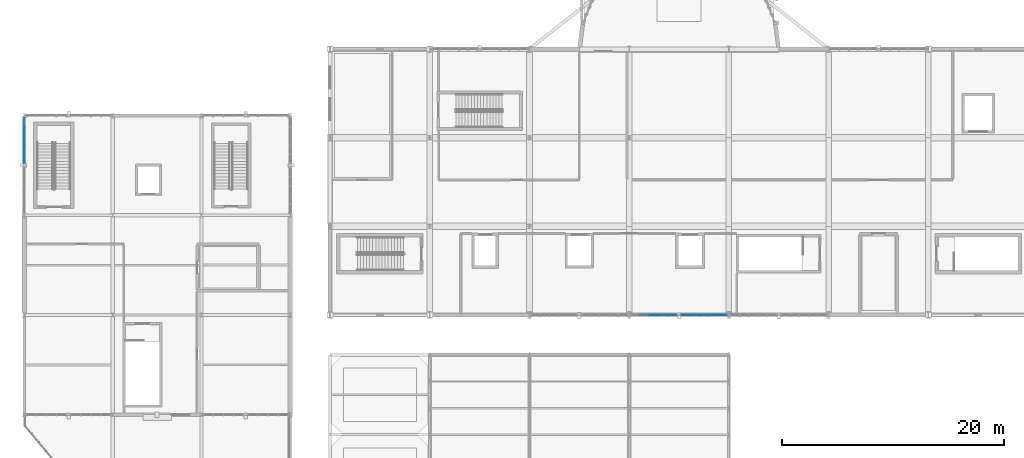
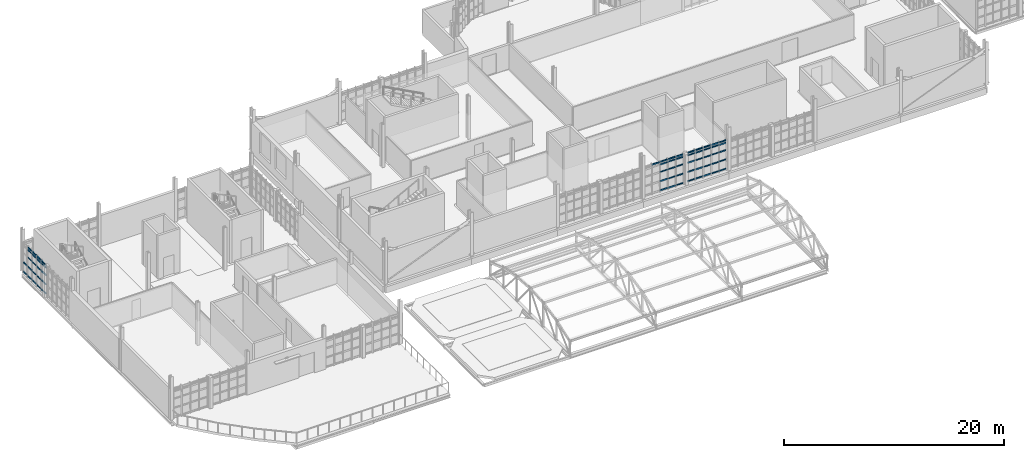
# One storey, part 62 of 128: 63 members, 3 elements without a shape of their own.
"""IFC4 building model written with IfcOpenShell, lengths in metres."""

from ifc_helpers import new_model, si_unit, direction, frame, origin, origin_2d, place, context, subcontext, project, spatial, rectangle, extrude, material, material_profile, profile_set, type_object, element, aggregate, save


model = new_model("IFC4")

# Units and contexts
model_context = context("Model", 3, precision=1e-05, world=origin(), true_north=direction((0.0, 1.0)))
body_context = subcontext(model_context, "Body", "Model", "MODEL_VIEW")
ifc_project = project(units=[si_unit("LENGTHUNIT", "METRE"), si_unit("AREAUNIT", "SQUARE_METRE"), si_unit("VOLUMEUNIT", "CUBIC_METRE"), si_unit("PLANEANGLEUNIT", "RADIAN"), si_unit("MASSUNIT", "GRAM", prefix="KILO")], contexts=[model_context])

# Site, building, storey
site_placement = place(None, origin())
site = spatial("IfcSite", under=ifc_project, at=site_placement, CompositionType="ELEMENT")
building_placement = place(site_placement, origin())
building = spatial("IfcBuilding", under=site, at=building_placement, Name="Serraforn Aerial Cableway Station", CompositionType="ELEMENT")
storey_placement = place(building_placement, frame((0.0, 0.0, 9.0)))
storey = spatial("IfcBuildingStorey", under=building, at=storey_placement, Name="L02", CompositionType="ELEMENT", Elevation=9.0)

# Curtain wall, members
ifc_material_1 = material(Name="Anodised bronze unitised curtain wall")
curtain_wall_type_1 = type_object("IfcCurtainWallType", Name="CW-SYS-3", PredefinedType="USERDEFINED", material=ifc_material_1)
curtain_wall_1_placement = place(storey_placement, origin())
curtain_wall_1 = element("IfcCurtainWall", 1, at=curtain_wall_1_placement, inside=storey, type_object=curtain_wall_type_1, Name="Unitised Curtain Wall CW-W-L02-W3A", ObjectType="UNITISED CURTAIN WALL", PredefinedType="USERDEFINED")
ifc_material_2 = material(Name="Anodised bronze extruded aluminium", Category="aluminium")
ifc_material_profile_1 = material_profile(ifc_material_2, rectangle(XDim=0.054931640625, YDim=0.110107421875, at=origin_2d()), Name="CW TRANSOM 55x110")
ifc_profile_set_1 = profile_set([ifc_material_profile_1], Name="Anodised bronze extruded aluminium")
member_type_1 = type_object("IfcMemberType", Name="CW-TRN-1", PredefinedType="USERDEFINED", material=ifc_profile_set_1)
member_1_placement = place(storey_placement, frame((0.0, 34.963134765625, 2.188720703125), z_axis=(0.0, -1.0, 0.0), x_axis=(1.0, 0.0, 0.0)))
member_1 = element("IfcMember", 2, at=member_1_placement, type_object=member_type_1, Name="Curtain Wall Transom CW-W-L02-W3A-T2-3", ObjectType="TRANSOM", PredefinedType="USERDEFINED", context=body_context, shape_type="SweptSolid", body=[
    extrude(rectangle(XDim=0.054931640625, YDim=0.110107421875, at=origin_2d()), origin(), (0.0, 0.0, 1.0), 0.764892578125),
])
member_2_placement = place(storey_placement, frame((0.0, 34.132080078125, 1.162841796875), z_axis=(0.0, -1.0, 0.0), x_axis=(1.0, 0.0, 0.0)))
member_2 = element("IfcMember", 3, at=member_2_placement, type_object=member_type_1, Name="Curtain Wall Transom CW-W-L02-W3A-T3-2", ObjectType="TRANSOM", PredefinedType="USERDEFINED", context=body_context, shape_type="SweptSolid", body=[
    extrude(rectangle(XDim=0.054931640625, YDim=0.110107421875, at=origin_2d()), origin(), (0.0, 0.0, 1.0), 0.759765625),
])
member_3_placement = place(storey_placement, frame((0.0, 33.30126953125, 0.13671875), z_axis=(0.0, -1.0, 0.0), x_axis=(1.0, 0.0, 0.0)))
member_3 = element("IfcMember", 4, at=member_3_placement, type_object=member_type_1, Name="Curtain Wall Transom CW-W-L02-W3A-T4-1", ObjectType="TRANSOM", PredefinedType="USERDEFINED", context=body_context, shape_type="SweptSolid", body=[
    extrude(rectangle(XDim=0.054931640625, YDim=0.110107421875, at=origin_2d()), origin(), (0.0, 0.0, 1.0), 0.767333984375),
])
member_4_placement = place(storey_placement, frame((0.0, 32.48291015625, 3.283203125), z_axis=(0.0, -1.0, 0.0), x_axis=(1.0, 0.0, 0.0)))
member_4 = element("IfcMember", 5, at=member_4_placement, type_object=member_type_1, Name="Curtain Wall Transom CW-W-L02-W3A-T5-5", ObjectType="TRANSOM", PredefinedType="USERDEFINED", context=body_context, shape_type="SweptSolid", body=[
    extrude(rectangle(XDim=0.054931640625, YDim=0.110107421875, at=origin_2d()), origin(), (0.0, 0.0, 1.0), 0.744873046875),
])

curtain_wall_type_2 = type_object("IfcCurtainWallType", Name="CW-SYS-21", PredefinedType="USERDEFINED", material=ifc_material_1)
curtain_wall_2_placement = place(storey_placement, origin())
curtain_wall_2 = element("IfcCurtainWall", 6, at=curtain_wall_2_placement, inside=storey, type_object=curtain_wall_type_2, Name="Unitised Curtain Wall CW-CV-L02-S4A", ObjectType="UNITISED CURTAIN WALL", PredefinedType="USERDEFINED")
member_5_placement = place(storey_placement, frame((56.447265625, 18.0, 2.188720703125), z_axis=(1.0, 0.0, 0.0), x_axis=(0.0, 1.0, 0.0)))
member_5 = element("IfcMember", 7, at=member_5_placement, type_object=member_type_1, Name="Curtain Wall Transom CW-CV-L02-S4A-T3-3", ObjectType="TRANSOM", PredefinedType="USERDEFINED", context=body_context, shape_type="SweptSolid", body=[
    extrude(rectangle(XDim=0.054931640625, YDim=0.110107421875, at=origin_2d()), origin(), (0.0, 0.0, 1.0), 0.77099609375),
])
member_6_placement = place(storey_placement, frame((57.2841796875, 18.0, 1.162841796875), z_axis=(1.0, 0.0, 0.0), x_axis=(0.0, 1.0, 0.0)))
member_6 = element("IfcMember", 8, at=member_6_placement, type_object=member_type_1, Name="Curtain Wall Transom CW-CV-L02-S4A-T4-2", ObjectType="TRANSOM", PredefinedType="USERDEFINED", context=body_context, shape_type="SweptSolid", body=[
    extrude(rectangle(XDim=0.054931640625, YDim=0.110107421875, at=origin_2d()), origin(), (0.0, 0.0, 1.0), 0.765869140625),
])
member_7_placement = place(storey_placement, frame((58.12109375, 18.0, 0.13671875), z_axis=(1.0, 0.0, 0.0), x_axis=(0.0, 1.0, 0.0)))
member_7 = element("IfcMember", 9, at=member_7_placement, type_object=member_type_1, Name="Curtain Wall Transom CW-CV-L02-S4A-T5-1", ObjectType="TRANSOM", PredefinedType="USERDEFINED", context=body_context, shape_type="SweptSolid", body=[
    extrude(rectangle(XDim=0.054931640625, YDim=0.110107421875, at=origin_2d()), origin(), (0.0, 0.0, 1.0), 0.745849609375),
])

curtain_wall_type_3 = type_object("IfcCurtainWallType", Name="CW-SYS-22", PredefinedType="USERDEFINED", material=ifc_material_1)
curtain_wall_3_placement = place(storey_placement, origin())
curtain_wall_3 = element("IfcCurtainWall", 10, at=curtain_wall_3_placement, inside=storey, type_object=curtain_wall_type_3, Name="Unitised Curtain Wall CW-CV-L02-S4B", ObjectType="UNITISED CURTAIN WALL", PredefinedType="USERDEFINED")
member_8_placement = place(storey_placement, frame((59.337890625, 18.0, 3.009521484375), z_axis=(1.0, 0.0, 0.0), x_axis=(0.0, 1.0, 0.0)))
member_8 = element("IfcMember", 11, at=member_8_placement, type_object=member_type_1, Name="Curtain Wall Transom CW-CV-L02-S4B-T1-4", ObjectType="TRANSOM", PredefinedType="USERDEFINED", context=body_context, shape_type="SweptSolid", body=[
    extrude(rectangle(XDim=0.054931640625, YDim=0.110107421875, at=origin_2d()), origin(), (0.0, 0.0, 1.0), 0.74609375),
])
member_9_placement = place(storey_placement, frame((60.14501953125, 18.0, 2.188720703125), z_axis=(1.0, 0.0, 0.0), x_axis=(0.0, 1.0, 0.0)))
member_9 = element("IfcMember", 12, at=member_9_placement, type_object=member_type_1, Name="Curtain Wall Transom CW-CV-L02-S4B-T2-3", ObjectType="TRANSOM", PredefinedType="USERDEFINED", context=body_context, shape_type="SweptSolid", body=[
    extrude(rectangle(XDim=0.054931640625, YDim=0.110107421875, at=origin_2d()), origin(), (0.0, 0.0, 1.0), 0.770751953125),
])
member_10_placement = place(storey_placement, frame((60.981689453125, 18.0, 1.162841796875), z_axis=(1.0, 0.0, 0.0), x_axis=(0.0, 1.0, 0.0)))
member_10 = element("IfcMember", 13, at=member_10_placement, type_object=member_type_1, Name="Curtain Wall Transom CW-CV-L02-S4B-T3-2", ObjectType="TRANSOM", PredefinedType="USERDEFINED", context=body_context, shape_type="SweptSolid", body=[
    extrude(rectangle(XDim=0.054931640625, YDim=0.110107421875, at=origin_2d()), origin(), (0.0, 0.0, 1.0), 0.76611328125),
])
member_11_placement = place(storey_placement, frame((61.818603515625, 18.0, 0.13671875), z_axis=(1.0, 0.0, 0.0), x_axis=(0.0, 1.0, 0.0)))
member_11 = element("IfcMember", 14, at=member_11_placement, type_object=member_type_1, Name="Curtain Wall Transom CW-CV-L02-S4B-T4-1", ObjectType="TRANSOM", PredefinedType="USERDEFINED", context=body_context, shape_type="SweptSolid", body=[
    extrude(rectangle(XDim=0.054931640625, YDim=0.110107421875, at=origin_2d()), origin(), (0.0, 0.0, 1.0), 0.7734375),
])
member_12_placement = place(storey_placement, frame((62.64306640625, 18.0, 3.283203125), z_axis=(1.0, 0.0, 0.0), x_axis=(0.0, 1.0, 0.0)))
member_12 = element("IfcMember", 15, at=member_12_placement, type_object=member_type_1, Name="Curtain Wall Transom CW-CV-L02-S4B-T5-5", ObjectType="TRANSOM", PredefinedType="USERDEFINED", context=body_context, shape_type="SweptSolid", body=[
    extrude(rectangle(XDim=0.054931640625, YDim=0.110107421875, at=origin_2d()), origin(), (0.0, 0.0, 1.0), 0.7509765625),
])

# Member
ifc_material_profile_2 = material_profile(ifc_material_2, rectangle(XDim=0.06005859375, YDim=0.1201171875, at=origin_2d()), Name="CW TRANSOM 60x120")
ifc_profile_set_2 = profile_set([ifc_material_profile_2], Name="Anodised bronze extruded aluminium")
member_type_2 = type_object("IfcMemberType", Name="CW-TRN-2", PredefinedType="USERDEFINED", material=ifc_profile_set_2)
member_13_placement = place(storey_placement, frame((0.0, 34.963134765625, 3.009521484375), z_axis=(0.0, -1.0, 0.0), x_axis=(1.0, 0.0, 0.0)))
member_13 = element("IfcMember", 16, at=member_13_placement, type_object=member_type_2, Name="Curtain Wall Transom CW-W-L02-W3A-T2-4", ObjectType="TRANSOM", PredefinedType="USERDEFINED", context=body_context, shape_type="SweptSolid", body=[
    extrude(rectangle(XDim=0.06005859375, YDim=0.1201171875, at=origin_2d()), origin(), (0.0, 0.0, 1.0), 0.764892578125),
])

member_14_placement = place(storey_placement, frame((0.0, 34.132080078125, 2.188720703125), z_axis=(0.0, -1.0, 0.0), x_axis=(1.0, 0.0, 0.0)))
member_14 = element("IfcMember", 17, at=member_14_placement, type_object=member_type_2, Name="Curtain Wall Transom CW-W-L02-W3A-T3-3", ObjectType="TRANSOM", PredefinedType="USERDEFINED", context=body_context, shape_type="SweptSolid", body=[
    extrude(rectangle(XDim=0.06005859375, YDim=0.1201171875, at=origin_2d()), origin(), (0.0, 0.0, 1.0), 0.759765625),
])

member_15_placement = place(storey_placement, frame((0.0, 33.30126953125, 1.162841796875), z_axis=(0.0, -1.0, 0.0), x_axis=(1.0, 0.0, 0.0)))
member_15 = element("IfcMember", 18, at=member_15_placement, type_object=member_type_2, Name="Curtain Wall Transom CW-W-L02-W3A-T4-2", ObjectType="TRANSOM", PredefinedType="USERDEFINED", context=body_context, shape_type="SweptSolid", body=[
    extrude(rectangle(XDim=0.06005859375, YDim=0.1201171875, at=origin_2d()), origin(), (0.0, 0.0, 1.0), 0.767333984375),
])

member_16_placement = place(storey_placement, frame((0.0, 32.48291015625, 0.13671875), z_axis=(0.0, -1.0, 0.0), x_axis=(1.0, 0.0, 0.0)))
member_16 = element("IfcMember", 19, at=member_16_placement, type_object=member_type_2, Name="Curtain Wall Transom CW-W-L02-W3A-T5-1", ObjectType="TRANSOM", PredefinedType="USERDEFINED", context=body_context, shape_type="SweptSolid", body=[
    extrude(rectangle(XDim=0.06005859375, YDim=0.1201171875, at=origin_2d()), origin(), (0.0, 0.0, 1.0), 0.744873046875),
])

member_17_placement = place(storey_placement, frame((55.6103515625, 18.0, 3.283203125), z_axis=(1.0, 0.0, 0.0), x_axis=(0.0, 1.0, 0.0)))
member_17 = element("IfcMember", 20, at=member_17_placement, type_object=member_type_2, Name="Curtain Wall Transom CW-CV-L02-S4A-T2-5", ObjectType="TRANSOM", PredefinedType="USERDEFINED", context=body_context, shape_type="SweptSolid", body=[
    extrude(rectangle(XDim=0.06005859375, YDim=0.1201171875, at=origin_2d()), origin(), (0.0, 0.0, 1.0), 0.77587890625),
])

member_18_placement = place(storey_placement, frame((56.447265625, 18.0, 3.009521484375), z_axis=(1.0, 0.0, 0.0), x_axis=(0.0, 1.0, 0.0)))
member_18 = element("IfcMember", 21, at=member_18_placement, type_object=member_type_2, Name="Curtain Wall Transom CW-CV-L02-S4A-T3-4", ObjectType="TRANSOM", PredefinedType="USERDEFINED", context=body_context, shape_type="SweptSolid", body=[
    extrude(rectangle(XDim=0.06005859375, YDim=0.1201171875, at=origin_2d()), origin(), (0.0, 0.0, 1.0), 0.77099609375),
])

member_19_placement = place(storey_placement, frame((57.2841796875, 18.0, 2.188720703125), z_axis=(1.0, 0.0, 0.0), x_axis=(0.0, 1.0, 0.0)))
member_19 = element("IfcMember", 22, at=member_19_placement, type_object=member_type_2, Name="Curtain Wall Transom CW-CV-L02-S4A-T4-3", ObjectType="TRANSOM", PredefinedType="USERDEFINED", context=body_context, shape_type="SweptSolid", body=[
    extrude(rectangle(XDim=0.06005859375, YDim=0.1201171875, at=origin_2d()), origin(), (0.0, 0.0, 1.0), 0.765869140625),
])

member_20_placement = place(storey_placement, frame((58.12109375, 18.0, 1.162841796875), z_axis=(1.0, 0.0, 0.0), x_axis=(0.0, 1.0, 0.0)))
member_20 = element("IfcMember", 23, at=member_20_placement, type_object=member_type_2, Name="Curtain Wall Transom CW-CV-L02-S4A-T5-2", ObjectType="TRANSOM", PredefinedType="USERDEFINED", context=body_context, shape_type="SweptSolid", body=[
    extrude(rectangle(XDim=0.06005859375, YDim=0.1201171875, at=origin_2d()), origin(), (0.0, 0.0, 1.0), 0.745849609375),
])

member_21_placement = place(storey_placement, frame((59.337890625, 18.0, 3.283203125), z_axis=(1.0, 0.0, 0.0), x_axis=(0.0, 1.0, 0.0)))
member_21 = element("IfcMember", 24, at=member_21_placement, type_object=member_type_2, Name="Curtain Wall Transom CW-CV-L02-S4B-T1-5", ObjectType="TRANSOM", PredefinedType="USERDEFINED", context=body_context, shape_type="SweptSolid", body=[
    extrude(rectangle(XDim=0.06005859375, YDim=0.1201171875, at=origin_2d()), origin(), (0.0, 0.0, 1.0), 0.74609375),
])

member_22_placement = place(storey_placement, frame((60.14501953125, 18.0, 3.009521484375), z_axis=(1.0, 0.0, 0.0), x_axis=(0.0, 1.0, 0.0)))
member_22 = element("IfcMember", 25, at=member_22_placement, type_object=member_type_2, Name="Curtain Wall Transom CW-CV-L02-S4B-T2-4", ObjectType="TRANSOM", PredefinedType="USERDEFINED", context=body_context, shape_type="SweptSolid", body=[
    extrude(rectangle(XDim=0.06005859375, YDim=0.1201171875, at=origin_2d()), origin(), (0.0, 0.0, 1.0), 0.770751953125),
])

member_23_placement = place(storey_placement, frame((60.981689453125, 18.0, 2.188720703125), z_axis=(1.0, 0.0, 0.0), x_axis=(0.0, 1.0, 0.0)))
member_23 = element("IfcMember", 26, at=member_23_placement, type_object=member_type_2, Name="Curtain Wall Transom CW-CV-L02-S4B-T3-3", ObjectType="TRANSOM", PredefinedType="USERDEFINED", context=body_context, shape_type="SweptSolid", body=[
    extrude(rectangle(XDim=0.06005859375, YDim=0.1201171875, at=origin_2d()), origin(), (0.0, 0.0, 1.0), 0.76611328125),
])

member_24_placement = place(storey_placement, frame((61.818603515625, 18.0, 1.162841796875), z_axis=(1.0, 0.0, 0.0), x_axis=(0.0, 1.0, 0.0)))
member_24 = element("IfcMember", 27, at=member_24_placement, type_object=member_type_2, Name="Curtain Wall Transom CW-CV-L02-S4B-T4-2", ObjectType="TRANSOM", PredefinedType="USERDEFINED", context=body_context, shape_type="SweptSolid", body=[
    extrude(rectangle(XDim=0.06005859375, YDim=0.1201171875, at=origin_2d()), origin(), (0.0, 0.0, 1.0), 0.7734375),
])

member_25_placement = place(storey_placement, frame((62.64306640625, 18.0, 0.13671875), z_axis=(1.0, 0.0, 0.0), x_axis=(0.0, 1.0, 0.0)))
member_25 = element("IfcMember", 28, at=member_25_placement, type_object=member_type_2, Name="Curtain Wall Transom CW-CV-L02-S4B-T5-1", ObjectType="TRANSOM", PredefinedType="USERDEFINED", context=body_context, shape_type="SweptSolid", body=[
    extrude(rectangle(XDim=0.06005859375, YDim=0.1201171875, at=origin_2d()), origin(), (0.0, 0.0, 1.0), 0.7509765625),
])

ifc_material_profile_3 = material_profile(ifc_material_2, rectangle(XDim=0.06494140625, YDim=0.135009765625, at=origin_2d()), Name="CW TRANSOM 65x135")
ifc_profile_set_3 = profile_set([ifc_material_profile_3], Name="Anodised bronze extruded aluminium")
member_type_3 = type_object("IfcMemberType", Name="CW-TRN-3", PredefinedType="USERDEFINED", material=ifc_profile_set_3)
member_26_placement = place(storey_placement, frame((0.0, 35.763916015625, 0.13671875), z_axis=(0.0, -1.0, 0.0), x_axis=(1.0, 0.0, 0.0)))
member_26 = element("IfcMember", 29, at=member_26_placement, type_object=member_type_3, Name="Curtain Wall Transom CW-W-L02-W3A-T1-1", ObjectType="TRANSOM", PredefinedType="USERDEFINED", context=body_context, shape_type="SweptSolid", body=[
    extrude(rectangle(XDim=0.06494140625, YDim=0.135009765625, at=origin_2d()), origin(), (0.0, 0.0, 1.0), 0.73974609375),
])

member_27_placement = place(storey_placement, frame((0.0, 34.963134765625, 3.283203125), z_axis=(0.0, -1.0, 0.0), x_axis=(1.0, 0.0, 0.0)))
member_27 = element("IfcMember", 30, at=member_27_placement, type_object=member_type_3, Name="Curtain Wall Transom CW-W-L02-W3A-T2-5", ObjectType="TRANSOM", PredefinedType="USERDEFINED", context=body_context, shape_type="SweptSolid", body=[
    extrude(rectangle(XDim=0.06494140625, YDim=0.135009765625, at=origin_2d()), origin(), (0.0, 0.0, 1.0), 0.764892578125),
])

member_28_placement = place(storey_placement, frame((0.0, 34.132080078125, 3.009521484375), z_axis=(0.0, -1.0, 0.0), x_axis=(1.0, 0.0, 0.0)))
member_28 = element("IfcMember", 31, at=member_28_placement, type_object=member_type_3, Name="Curtain Wall Transom CW-W-L02-W3A-T3-4", ObjectType="TRANSOM", PredefinedType="USERDEFINED", context=body_context, shape_type="SweptSolid", body=[
    extrude(rectangle(XDim=0.06494140625, YDim=0.135009765625, at=origin_2d()), origin(), (0.0, 0.0, 1.0), 0.759765625),
])

member_29_placement = place(storey_placement, frame((0.0, 33.30126953125, 2.188720703125), z_axis=(0.0, -1.0, 0.0), x_axis=(1.0, 0.0, 0.0)))
member_29 = element("IfcMember", 32, at=member_29_placement, type_object=member_type_3, Name="Curtain Wall Transom CW-W-L02-W3A-T4-3", ObjectType="TRANSOM", PredefinedType="USERDEFINED", context=body_context, shape_type="SweptSolid", body=[
    extrude(rectangle(XDim=0.06494140625, YDim=0.135009765625, at=origin_2d()), origin(), (0.0, 0.0, 1.0), 0.767333984375),
])

member_30_placement = place(storey_placement, frame((0.0, 32.48291015625, 1.162841796875), z_axis=(0.0, -1.0, 0.0), x_axis=(1.0, 0.0, 0.0)))
member_30 = element("IfcMember", 33, at=member_30_placement, type_object=member_type_3, Name="Curtain Wall Transom CW-W-L02-W3A-T5-2", ObjectType="TRANSOM", PredefinedType="USERDEFINED", context=body_context, shape_type="SweptSolid", body=[
    extrude(rectangle(XDim=0.06494140625, YDim=0.135009765625, at=origin_2d()), origin(), (0.0, 0.0, 1.0), 0.744873046875),
])

member_31_placement = place(storey_placement, frame((56.447265625, 18.0, 3.283203125), z_axis=(1.0, 0.0, 0.0), x_axis=(0.0, 1.0, 0.0)))
member_31 = element("IfcMember", 34, at=member_31_placement, type_object=member_type_3, Name="Curtain Wall Transom CW-CV-L02-S4A-T3-5", ObjectType="TRANSOM", PredefinedType="USERDEFINED", context=body_context, shape_type="SweptSolid", body=[
    extrude(rectangle(XDim=0.06494140625, YDim=0.135009765625, at=origin_2d()), origin(), (0.0, 0.0, 1.0), 0.77099609375),
])

member_32_placement = place(storey_placement, frame((57.2841796875, 18.0, 3.009521484375), z_axis=(1.0, 0.0, 0.0), x_axis=(0.0, 1.0, 0.0)))
member_32 = element("IfcMember", 35, at=member_32_placement, type_object=member_type_3, Name="Curtain Wall Transom CW-CV-L02-S4A-T4-4", ObjectType="TRANSOM", PredefinedType="USERDEFINED", context=body_context, shape_type="SweptSolid", body=[
    extrude(rectangle(XDim=0.06494140625, YDim=0.135009765625, at=origin_2d()), origin(), (0.0, 0.0, 1.0), 0.765869140625),
])

member_33_placement = place(storey_placement, frame((58.12109375, 18.0, 2.188720703125), z_axis=(1.0, 0.0, 0.0), x_axis=(0.0, 1.0, 0.0)))
member_33 = element("IfcMember", 36, at=member_33_placement, type_object=member_type_3, Name="Curtain Wall Transom CW-CV-L02-S4A-T5-3", ObjectType="TRANSOM", PredefinedType="USERDEFINED", context=body_context, shape_type="SweptSolid", body=[
    extrude(rectangle(XDim=0.06494140625, YDim=0.135009765625, at=origin_2d()), origin(), (0.0, 0.0, 1.0), 0.745849609375),
])

member_34_placement = place(storey_placement, frame((59.337890625, 18.0, 0.13671875), z_axis=(1.0, 0.0, 0.0), x_axis=(0.0, 1.0, 0.0)))
member_34 = element("IfcMember", 37, at=member_34_placement, type_object=member_type_3, Name="Curtain Wall Transom CW-CV-L02-S4B-T1-1", ObjectType="TRANSOM", PredefinedType="USERDEFINED", context=body_context, shape_type="SweptSolid", body=[
    extrude(rectangle(XDim=0.06494140625, YDim=0.135009765625, at=origin_2d()), origin(), (0.0, 0.0, 1.0), 0.74609375),
])

member_35_placement = place(storey_placement, frame((60.14501953125, 18.0, 3.283203125), z_axis=(1.0, 0.0, 0.0), x_axis=(0.0, 1.0, 0.0)))
member_35 = element("IfcMember", 38, at=member_35_placement, type_object=member_type_3, Name="Curtain Wall Transom CW-CV-L02-S4B-T2-5", ObjectType="TRANSOM", PredefinedType="USERDEFINED", context=body_context, shape_type="SweptSolid", body=[
    extrude(rectangle(XDim=0.06494140625, YDim=0.135009765625, at=origin_2d()), origin(), (0.0, 0.0, 1.0), 0.770751953125),
])

member_36_placement = place(storey_placement, frame((60.981689453125, 18.0, 3.009521484375), z_axis=(1.0, 0.0, 0.0), x_axis=(0.0, 1.0, 0.0)))
member_36 = element("IfcMember", 39, at=member_36_placement, type_object=member_type_3, Name="Curtain Wall Transom CW-CV-L02-S4B-T3-4", ObjectType="TRANSOM", PredefinedType="USERDEFINED", context=body_context, shape_type="SweptSolid", body=[
    extrude(rectangle(XDim=0.06494140625, YDim=0.135009765625, at=origin_2d()), origin(), (0.0, 0.0, 1.0), 0.76611328125),
])

member_37_placement = place(storey_placement, frame((61.818603515625, 18.0, 2.188720703125), z_axis=(1.0, 0.0, 0.0), x_axis=(0.0, 1.0, 0.0)))
member_37 = element("IfcMember", 40, at=member_37_placement, type_object=member_type_3, Name="Curtain Wall Transom CW-CV-L02-S4B-T4-3", ObjectType="TRANSOM", PredefinedType="USERDEFINED", context=body_context, shape_type="SweptSolid", body=[
    extrude(rectangle(XDim=0.06494140625, YDim=0.135009765625, at=origin_2d()), origin(), (0.0, 0.0, 1.0), 0.7734375),
])

member_38_placement = place(storey_placement, frame((62.64306640625, 18.0, 1.162841796875), z_axis=(1.0, 0.0, 0.0), x_axis=(0.0, 1.0, 0.0)))
member_38 = element("IfcMember", 41, at=member_38_placement, type_object=member_type_3, Name="Curtain Wall Transom CW-CV-L02-S4B-T5-2", ObjectType="TRANSOM", PredefinedType="USERDEFINED", context=body_context, shape_type="SweptSolid", body=[
    extrude(rectangle(XDim=0.06494140625, YDim=0.135009765625, at=origin_2d()), origin(), (0.0, 0.0, 1.0), 0.7509765625),
])

ifc_material_profile_4 = material_profile(ifc_material_2, rectangle(XDim=0.070068359375, YDim=0.14990234375, at=origin_2d()), Name="CW TRANSOM 70x150")
ifc_profile_set_4 = profile_set([ifc_material_profile_4], Name="Anodised bronze extruded aluminium")
member_type_4 = type_object("IfcMemberType", Name="CW-TRN-4", PredefinedType="USERDEFINED", material=ifc_profile_set_4)
member_39_placement = place(storey_placement, frame((0.0, 35.763916015625, 1.162841796875), z_axis=(0.0, -1.0, 0.0), x_axis=(1.0, 0.0, 0.0)))
member_39 = element("IfcMember", 42, at=member_39_placement, type_object=member_type_4, Name="Curtain Wall Transom CW-W-L02-W3A-T1-2", ObjectType="TRANSOM", PredefinedType="USERDEFINED", context=body_context, shape_type="SweptSolid", body=[
    extrude(rectangle(XDim=0.070068359375, YDim=0.14990234375, at=origin_2d()), origin(), (0.0, 0.0, 1.0), 0.73974609375),
])

member_40_placement = place(storey_placement, frame((0.0, 34.963134765625, 0.13671875), z_axis=(0.0, -1.0, 0.0), x_axis=(1.0, 0.0, 0.0)))
member_40 = element("IfcMember", 43, at=member_40_placement, type_object=member_type_4, Name="Curtain Wall Transom CW-W-L02-W3A-T2-1", ObjectType="TRANSOM", PredefinedType="USERDEFINED", context=body_context, shape_type="SweptSolid", body=[
    extrude(rectangle(XDim=0.070068359375, YDim=0.14990234375, at=origin_2d()), origin(), (0.0, 0.0, 1.0), 0.764892578125),
])

member_41_placement = place(storey_placement, frame((0.0, 34.132080078125, 3.283203125), z_axis=(0.0, -1.0, 0.0), x_axis=(1.0, 0.0, 0.0)))
member_41 = element("IfcMember", 44, at=member_41_placement, type_object=member_type_4, Name="Curtain Wall Transom CW-W-L02-W3A-T3-5", ObjectType="TRANSOM", PredefinedType="USERDEFINED", context=body_context, shape_type="SweptSolid", body=[
    extrude(rectangle(XDim=0.070068359375, YDim=0.14990234375, at=origin_2d()), origin(), (0.0, 0.0, 1.0), 0.759765625),
])

member_42_placement = place(storey_placement, frame((0.0, 33.30126953125, 3.009521484375), z_axis=(0.0, -1.0, 0.0), x_axis=(1.0, 0.0, 0.0)))
member_42 = element("IfcMember", 45, at=member_42_placement, type_object=member_type_4, Name="Curtain Wall Transom CW-W-L02-W3A-T4-4", ObjectType="TRANSOM", PredefinedType="USERDEFINED", context=body_context, shape_type="SweptSolid", body=[
    extrude(rectangle(XDim=0.070068359375, YDim=0.14990234375, at=origin_2d()), origin(), (0.0, 0.0, 1.0), 0.767333984375),
])

member_43_placement = place(storey_placement, frame((0.0, 32.48291015625, 2.188720703125), z_axis=(0.0, -1.0, 0.0), x_axis=(1.0, 0.0, 0.0)))
member_43 = element("IfcMember", 46, at=member_43_placement, type_object=member_type_4, Name="Curtain Wall Transom CW-W-L02-W3A-T5-3", ObjectType="TRANSOM", PredefinedType="USERDEFINED", context=body_context, shape_type="SweptSolid", body=[
    extrude(rectangle(XDim=0.070068359375, YDim=0.14990234375, at=origin_2d()), origin(), (0.0, 0.0, 1.0), 0.744873046875),
])

member_44_placement = place(storey_placement, frame((56.447265625, 18.0, 0.13671875), z_axis=(1.0, 0.0, 0.0), x_axis=(0.0, 1.0, 0.0)))
member_44 = element("IfcMember", 47, at=member_44_placement, type_object=member_type_4, Name="Curtain Wall Transom CW-CV-L02-S4A-T3-1", ObjectType="TRANSOM", PredefinedType="USERDEFINED", context=body_context, shape_type="SweptSolid", body=[
    extrude(rectangle(XDim=0.070068359375, YDim=0.14990234375, at=origin_2d()), origin(), (0.0, 0.0, 1.0), 0.77099609375),
])

member_45_placement = place(storey_placement, frame((57.2841796875, 18.0, 3.283203125), z_axis=(1.0, 0.0, 0.0), x_axis=(0.0, 1.0, 0.0)))
member_45 = element("IfcMember", 48, at=member_45_placement, type_object=member_type_4, Name="Curtain Wall Transom CW-CV-L02-S4A-T4-5", ObjectType="TRANSOM", PredefinedType="USERDEFINED", context=body_context, shape_type="SweptSolid", body=[
    extrude(rectangle(XDim=0.070068359375, YDim=0.14990234375, at=origin_2d()), origin(), (0.0, 0.0, 1.0), 0.765869140625),
])

member_46_placement = place(storey_placement, frame((58.12109375, 18.0, 3.009521484375), z_axis=(1.0, 0.0, 0.0), x_axis=(0.0, 1.0, 0.0)))
member_46 = element("IfcMember", 49, at=member_46_placement, type_object=member_type_4, Name="Curtain Wall Transom CW-CV-L02-S4A-T5-4", ObjectType="TRANSOM", PredefinedType="USERDEFINED", context=body_context, shape_type="SweptSolid", body=[
    extrude(rectangle(XDim=0.070068359375, YDim=0.14990234375, at=origin_2d()), origin(), (0.0, 0.0, 1.0), 0.745849609375),
])

member_47_placement = place(storey_placement, frame((59.337890625, 18.0, 1.162841796875), z_axis=(1.0, 0.0, 0.0), x_axis=(0.0, 1.0, 0.0)))
member_47 = element("IfcMember", 50, at=member_47_placement, type_object=member_type_4, Name="Curtain Wall Transom CW-CV-L02-S4B-T1-2", ObjectType="TRANSOM", PredefinedType="USERDEFINED", context=body_context, shape_type="SweptSolid", body=[
    extrude(rectangle(XDim=0.070068359375, YDim=0.14990234375, at=origin_2d()), origin(), (0.0, 0.0, 1.0), 0.74609375),
])

member_48_placement = place(storey_placement, frame((60.14501953125, 18.0, 0.13671875), z_axis=(1.0, 0.0, 0.0), x_axis=(0.0, 1.0, 0.0)))
member_48 = element("IfcMember", 51, at=member_48_placement, type_object=member_type_4, Name="Curtain Wall Transom CW-CV-L02-S4B-T2-1", ObjectType="TRANSOM", PredefinedType="USERDEFINED", context=body_context, shape_type="SweptSolid", body=[
    extrude(rectangle(XDim=0.070068359375, YDim=0.14990234375, at=origin_2d()), origin(), (0.0, 0.0, 1.0), 0.770751953125),
])

member_49_placement = place(storey_placement, frame((60.981689453125, 18.0, 3.283203125), z_axis=(1.0, 0.0, 0.0), x_axis=(0.0, 1.0, 0.0)))
member_49 = element("IfcMember", 52, at=member_49_placement, type_object=member_type_4, Name="Curtain Wall Transom CW-CV-L02-S4B-T3-5", ObjectType="TRANSOM", PredefinedType="USERDEFINED", context=body_context, shape_type="SweptSolid", body=[
    extrude(rectangle(XDim=0.070068359375, YDim=0.14990234375, at=origin_2d()), origin(), (0.0, 0.0, 1.0), 0.76611328125),
])

member_50_placement = place(storey_placement, frame((61.818603515625, 18.0, 3.009521484375), z_axis=(1.0, 0.0, 0.0), x_axis=(0.0, 1.0, 0.0)))
member_50 = element("IfcMember", 53, at=member_50_placement, type_object=member_type_4, Name="Curtain Wall Transom CW-CV-L02-S4B-T4-4", ObjectType="TRANSOM", PredefinedType="USERDEFINED", context=body_context, shape_type="SweptSolid", body=[
    extrude(rectangle(XDim=0.070068359375, YDim=0.14990234375, at=origin_2d()), origin(), (0.0, 0.0, 1.0), 0.7734375),
])

member_51_placement = place(storey_placement, frame((62.64306640625, 18.0, 2.188720703125), z_axis=(1.0, 0.0, 0.0), x_axis=(0.0, 1.0, 0.0)))
member_51 = element("IfcMember", 54, at=member_51_placement, type_object=member_type_4, Name="Curtain Wall Transom CW-CV-L02-S4B-T5-3", ObjectType="TRANSOM", PredefinedType="USERDEFINED", context=body_context, shape_type="SweptSolid", body=[
    extrude(rectangle(XDim=0.070068359375, YDim=0.14990234375, at=origin_2d()), origin(), (0.0, 0.0, 1.0), 0.7509765625),
])

ifc_material_profile_5 = material_profile(ifc_material_2, rectangle(XDim=0.074951171875, YDim=0.1650390625, at=origin_2d()), Name="CW TRANSOM 75x165")
ifc_profile_set_5 = profile_set([ifc_material_profile_5], Name="Anodised bronze extruded aluminium")
member_type_5 = type_object("IfcMemberType", Name="CW-TRN-5", PredefinedType="USERDEFINED", material=ifc_profile_set_5)
member_52_placement = place(storey_placement, frame((0.0, 34.963134765625, 1.162841796875), z_axis=(0.0, -1.0, 0.0), x_axis=(1.0, 0.0, 0.0)))
member_52 = element("IfcMember", 55, at=member_52_placement, type_object=member_type_5, Name="Curtain Wall Transom CW-W-L02-W3A-T2-2", ObjectType="TRANSOM", PredefinedType="USERDEFINED", context=body_context, shape_type="SweptSolid", body=[
    extrude(rectangle(XDim=0.074951171875, YDim=0.1650390625, at=origin_2d()), origin(), (0.0, 0.0, 1.0), 0.764892578125),
])

member_53_placement = place(storey_placement, frame((0.0, 34.132080078125, 0.13671875), z_axis=(0.0, -1.0, 0.0), x_axis=(1.0, 0.0, 0.0)))
member_53 = element("IfcMember", 56, at=member_53_placement, type_object=member_type_5, Name="Curtain Wall Transom CW-W-L02-W3A-T3-1", ObjectType="TRANSOM", PredefinedType="USERDEFINED", context=body_context, shape_type="SweptSolid", body=[
    extrude(rectangle(XDim=0.074951171875, YDim=0.1650390625, at=origin_2d()), origin(), (0.0, 0.0, 1.0), 0.759765625),
])

member_54_placement = place(storey_placement, frame((0.0, 33.30126953125, 3.283203125), z_axis=(0.0, -1.0, 0.0), x_axis=(1.0, 0.0, 0.0)))
member_54 = element("IfcMember", 57, at=member_54_placement, type_object=member_type_5, Name="Curtain Wall Transom CW-W-L02-W3A-T4-5", ObjectType="TRANSOM", PredefinedType="USERDEFINED", context=body_context, shape_type="SweptSolid", body=[
    extrude(rectangle(XDim=0.074951171875, YDim=0.1650390625, at=origin_2d()), origin(), (0.0, 0.0, 1.0), 0.767333984375),
])

member_55_placement = place(storey_placement, frame((0.0, 32.48291015625, 3.009521484375), z_axis=(0.0, -1.0, 0.0), x_axis=(1.0, 0.0, 0.0)))
member_55 = element("IfcMember", 58, at=member_55_placement, type_object=member_type_5, Name="Curtain Wall Transom CW-W-L02-W3A-T5-4", ObjectType="TRANSOM", PredefinedType="USERDEFINED", context=body_context, shape_type="SweptSolid", body=[
    extrude(rectangle(XDim=0.074951171875, YDim=0.1650390625, at=origin_2d()), origin(), (0.0, 0.0, 1.0), 0.744873046875),
])

aggregate(curtain_wall_1, [member_26, member_39, member_40, member_52, member_1, member_13, member_27, member_53, member_2, member_14, member_28, member_41, member_3, member_15, member_29, member_42, member_54, member_16, member_30, member_43, member_55, member_4])

member_56_placement = place(storey_placement, frame((56.447265625, 18.0, 1.162841796875), z_axis=(1.0, 0.0, 0.0), x_axis=(0.0, 1.0, 0.0)))
member_56 = element("IfcMember", 59, at=member_56_placement, type_object=member_type_5, Name="Curtain Wall Transom CW-CV-L02-S4A-T3-2", ObjectType="TRANSOM", PredefinedType="USERDEFINED", context=body_context, shape_type="SweptSolid", body=[
    extrude(rectangle(XDim=0.074951171875, YDim=0.1650390625, at=origin_2d()), origin(), (0.0, 0.0, 1.0), 0.77099609375),
])

member_57_placement = place(storey_placement, frame((57.2841796875, 18.0, 0.13671875), z_axis=(1.0, 0.0, 0.0), x_axis=(0.0, 1.0, 0.0)))
member_57 = element("IfcMember", 60, at=member_57_placement, type_object=member_type_5, Name="Curtain Wall Transom CW-CV-L02-S4A-T4-1", ObjectType="TRANSOM", PredefinedType="USERDEFINED", context=body_context, shape_type="SweptSolid", body=[
    extrude(rectangle(XDim=0.074951171875, YDim=0.1650390625, at=origin_2d()), origin(), (0.0, 0.0, 1.0), 0.765869140625),
])

member_58_placement = place(storey_placement, frame((58.12109375, 18.0, 3.283203125), z_axis=(1.0, 0.0, 0.0), x_axis=(0.0, 1.0, 0.0)))
member_58 = element("IfcMember", 61, at=member_58_placement, type_object=member_type_5, Name="Curtain Wall Transom CW-CV-L02-S4A-T5-5", ObjectType="TRANSOM", PredefinedType="USERDEFINED", context=body_context, shape_type="SweptSolid", body=[
    extrude(rectangle(XDim=0.074951171875, YDim=0.1650390625, at=origin_2d()), origin(), (0.0, 0.0, 1.0), 0.745849609375),
])

aggregate(curtain_wall_2, [member_17, member_44, member_56, member_5, member_18, member_31, member_57, member_6, member_19, member_32, member_45, member_7, member_20, member_33, member_46, member_58])

member_59_placement = place(storey_placement, frame((59.337890625, 18.0, 2.188720703125), z_axis=(1.0, 0.0, 0.0), x_axis=(0.0, 1.0, 0.0)))
member_59 = element("IfcMember", 62, at=member_59_placement, type_object=member_type_5, Name="Curtain Wall Transom CW-CV-L02-S4B-T1-3", ObjectType="TRANSOM", PredefinedType="USERDEFINED", context=body_context, shape_type="SweptSolid", body=[
    extrude(rectangle(XDim=0.074951171875, YDim=0.1650390625, at=origin_2d()), origin(), (0.0, 0.0, 1.0), 0.74609375),
])

member_60_placement = place(storey_placement, frame((60.14501953125, 18.0, 1.162841796875), z_axis=(1.0, 0.0, 0.0), x_axis=(0.0, 1.0, 0.0)))
member_60 = element("IfcMember", 63, at=member_60_placement, type_object=member_type_5, Name="Curtain Wall Transom CW-CV-L02-S4B-T2-2", ObjectType="TRANSOM", PredefinedType="USERDEFINED", context=body_context, shape_type="SweptSolid", body=[
    extrude(rectangle(XDim=0.074951171875, YDim=0.1650390625, at=origin_2d()), origin(), (0.0, 0.0, 1.0), 0.770751953125),
])

member_61_placement = place(storey_placement, frame((60.981689453125, 18.0, 0.13671875), z_axis=(1.0, 0.0, 0.0), x_axis=(0.0, 1.0, 0.0)))
member_61 = element("IfcMember", 64, at=member_61_placement, type_object=member_type_5, Name="Curtain Wall Transom CW-CV-L02-S4B-T3-1", ObjectType="TRANSOM", PredefinedType="USERDEFINED", context=body_context, shape_type="SweptSolid", body=[
    extrude(rectangle(XDim=0.074951171875, YDim=0.1650390625, at=origin_2d()), origin(), (0.0, 0.0, 1.0), 0.76611328125),
])

member_62_placement = place(storey_placement, frame((61.818603515625, 18.0, 3.283203125), z_axis=(1.0, 0.0, 0.0), x_axis=(0.0, 1.0, 0.0)))
member_62 = element("IfcMember", 65, at=member_62_placement, type_object=member_type_5, Name="Curtain Wall Transom CW-CV-L02-S4B-T4-5", ObjectType="TRANSOM", PredefinedType="USERDEFINED", context=body_context, shape_type="SweptSolid", body=[
    extrude(rectangle(XDim=0.074951171875, YDim=0.1650390625, at=origin_2d()), origin(), (0.0, 0.0, 1.0), 0.7734375),
])

member_63_placement = place(storey_placement, frame((62.64306640625, 18.0, 3.009521484375), z_axis=(1.0, 0.0, 0.0), x_axis=(0.0, 1.0, 0.0)))
member_63 = element("IfcMember", 66, at=member_63_placement, type_object=member_type_5, Name="Curtain Wall Transom CW-CV-L02-S4B-T5-4", ObjectType="TRANSOM", PredefinedType="USERDEFINED", context=body_context, shape_type="SweptSolid", body=[
    extrude(rectangle(XDim=0.074951171875, YDim=0.1650390625, at=origin_2d()), origin(), (0.0, 0.0, 1.0), 0.7509765625),
])

aggregate(curtain_wall_3, [member_34, member_47, member_59, member_8, member_21, member_48, member_60, member_9, member_22, member_35, member_61, member_10, member_23, member_36, member_49, member_11, member_24, member_37, member_50, member_62, member_25, member_38, member_51, member_63, member_12])

save(model, "model.ifc")
